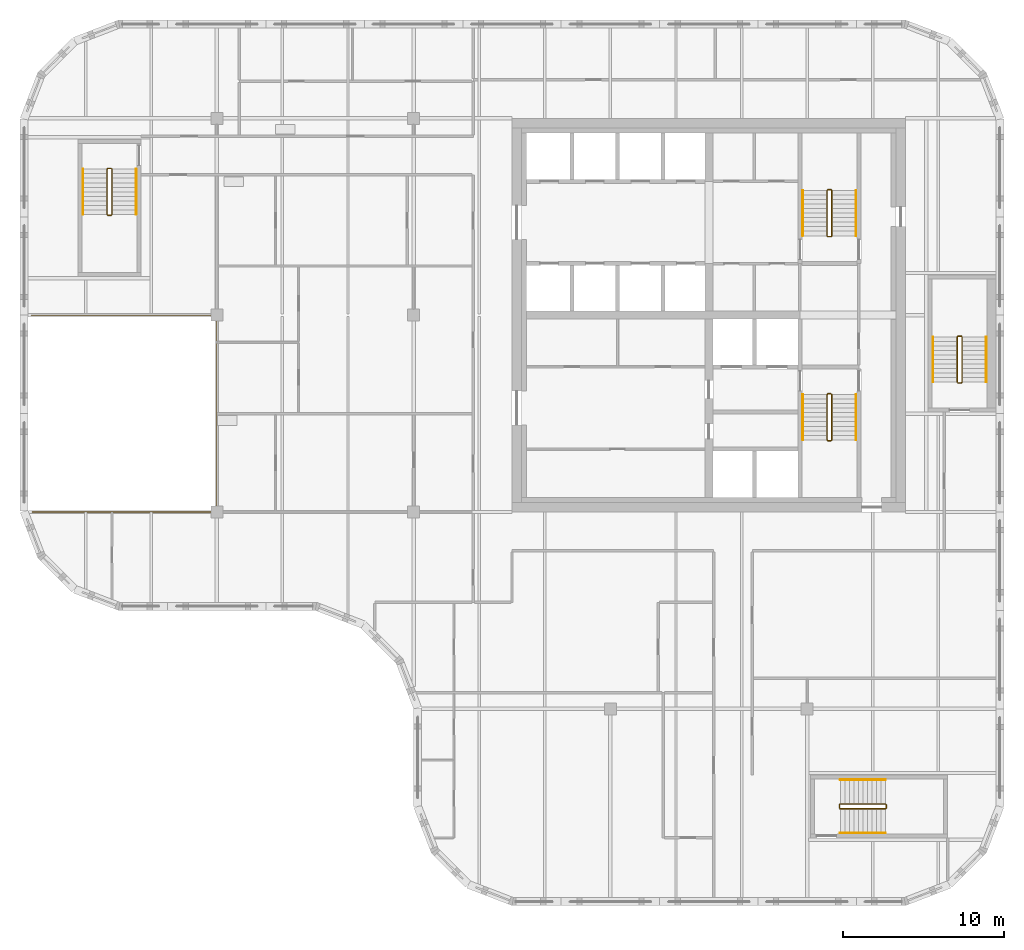
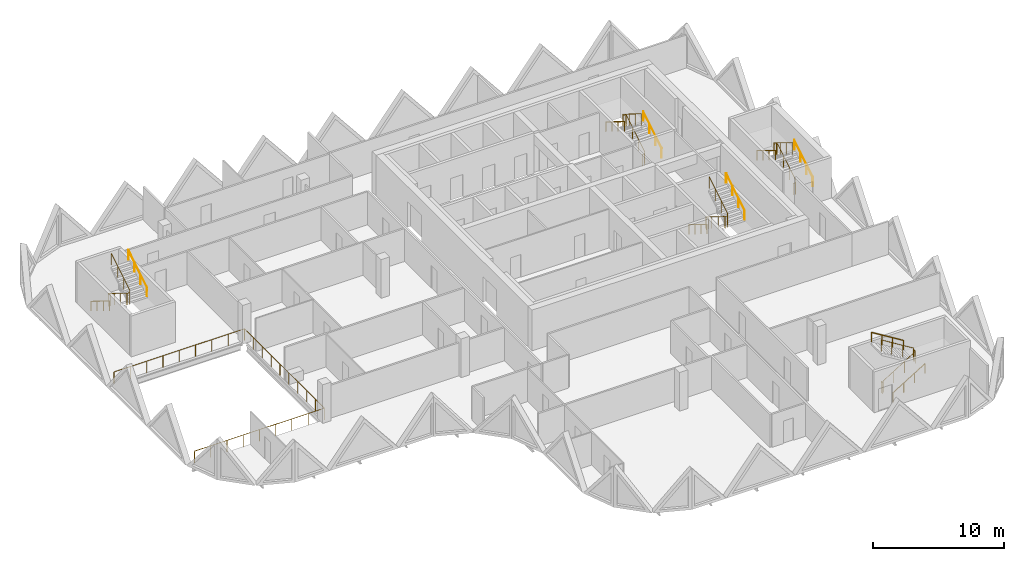
# One storey, part 11 of 12: 16 railings.
"""IFC4 building model written with IfcOpenShell, lengths in metres."""

from ifc_helpers import new_model, si_unit, direction, frame, origin, origin_2d, place, context, subcontext, project, spatial, circle, extrude, material, type_object, element, save


model = new_model("IFC4")

# Units and contexts
model_context = context("Model", 3, precision=1e-05, world=origin(), true_north=direction((0.0, 1.0)))
body_context = subcontext(model_context, "Body", "Model", "MODEL_VIEW")
ifc_project = project(units=[si_unit("LENGTHUNIT", "METRE"), si_unit("AREAUNIT", "SQUARE_METRE"), si_unit("VOLUMEUNIT", "CUBIC_METRE"), si_unit("PLANEANGLEUNIT", "RADIAN"), si_unit("MASSUNIT", "GRAM", prefix="KILO")], contexts=[model_context])

# Site, building, storey
site_placement = place(None, origin())
site = spatial("IfcSite", under=ifc_project, at=site_placement, CompositionType="ELEMENT")
building_placement = place(site_placement, origin())
building = spatial("IfcBuilding", under=site, at=building_placement, Name="Tessera Gate Towers", CompositionType="ELEMENT")
storey_placement = place(building_placement, frame((0.0, 0.0, 155.39990234375)))
storey = spatial("IfcBuildingStorey", under=building, at=storey_placement, Name="L38", CompositionType="ELEMENT", Elevation=155.39990234375)

# Railings
ifc_material_1 = material(Name="Toughened glass with stainless steel handrail", Category="steel")
railing_type_1 = type_object("IfcRailingType", Name="GUARD 1100 GLASS BALUSTRADE", PredefinedType="GUARDRAIL", material=ifc_material_1)
railing_1_placement = place(storey_placement, frame((0.750244140625, 24.39990234375, 0.0)))
element("IfcRailing", 1, at=railing_1_placement, inside=storey, type_object=railing_type_1, Name="Guard", PredefinedType="GUARDRAIL", context=body_context, shape_type="SweptSolid", body=[
    extrude(circle(Radius=0.02490234375, at=origin_2d()), frame((0.0, 0.0, 1.0751953125), z_axis=(1.0, 0.0, 0.0), x_axis=(0.0, 1.0, 0.0)), (0.0, 0.0, 1.0), 11.44970703125),
    extrude(circle(Radius=0.02490234375, at=origin_2d()), frame((11.44970703125, 0.0, 1.0751953125), z_axis=(0.0, 1.0, 0.0), x_axis=(-1.0, 0.0, 0.0)), (0.0, 0.0, 1.0), 12.2001953125),
    extrude(circle(Radius=0.02490234375, at=origin_2d()), frame((11.44970703125, 12.2001953125, 1.0751953125), z_axis=(-1.0, 0.0, 0.0), x_axis=(0.0, -1.0, 0.0)), (0.0, 0.0, 1.0), 11.5),
    extrude(circle(Radius=0.02490234375, at=origin_2d()), origin(), (0.0, 0.0, 1.0), 1.050048828125),
    extrude(circle(Radius=0.02490234375, at=origin_2d()), frame((1.43115234375, 0.0, 0.0)), (0.0, 0.0, 1.0), 1.050048828125),
    extrude(circle(Radius=0.02490234375, at=origin_2d()), frame((2.8623046875, 0.0, 0.0)), (0.0, 0.0, 1.0), 1.050048828125),
    extrude(circle(Radius=0.02490234375, at=origin_2d()), frame((4.293701171875, 0.0, 0.0)), (0.0, 0.0, 1.0), 1.050048828125),
    extrude(circle(Radius=0.02490234375, at=origin_2d()), frame((5.724853515625, 0.0, 0.0)), (0.0, 0.0, 1.0), 1.050048828125),
    extrude(circle(Radius=0.02490234375, at=origin_2d()), frame((7.156005859375, 0.0, 0.0)), (0.0, 0.0, 1.0), 1.050048828125),
    extrude(circle(Radius=0.02490234375, at=origin_2d()), frame((8.58740234375, 0.0, 0.0)), (0.0, 0.0, 1.0), 1.050048828125),
    extrude(circle(Radius=0.02490234375, at=origin_2d()), frame((10.0185546875, 0.0, 0.0)), (0.0, 0.0, 1.0), 1.050048828125),
    extrude(circle(Radius=0.02490234375, at=origin_2d()), frame((11.44970703125, 0.0, 0.0)), (0.0, 0.0, 1.0), 1.050048828125),
    extrude(circle(Radius=0.02490234375, at=origin_2d()), frame((11.44970703125, 1.35546875, 0.0)), (0.0, 0.0, 1.0), 1.050048828125),
    extrude(circle(Radius=0.02490234375, at=origin_2d()), frame((11.44970703125, 2.711181640625, 0.0)), (0.0, 0.0, 1.0), 1.050048828125),
    extrude(circle(Radius=0.02490234375, at=origin_2d()), frame((11.44970703125, 4.066650390625, 0.0)), (0.0, 0.0, 1.0), 1.050048828125),
    extrude(circle(Radius=0.02490234375, at=origin_2d()), frame((11.44970703125, 5.42236328125, 0.0)), (0.0, 0.0, 1.0), 1.050048828125),
    extrude(circle(Radius=0.02490234375, at=origin_2d()), frame((11.44970703125, 6.77783203125, 0.0)), (0.0, 0.0, 1.0), 1.050048828125),
    extrude(circle(Radius=0.02490234375, at=origin_2d()), frame((11.44970703125, 8.133544921875, 0.0)), (0.0, 0.0, 1.0), 1.050048828125),
    extrude(circle(Radius=0.02490234375, at=origin_2d()), frame((11.44970703125, 9.489013671875, 0.0)), (0.0, 0.0, 1.0), 1.050048828125),
    extrude(circle(Radius=0.02490234375, at=origin_2d()), frame((11.44970703125, 10.8447265625, 0.0)), (0.0, 0.0, 1.0), 1.050048828125),
    extrude(circle(Radius=0.02490234375, at=origin_2d()), frame((11.44970703125, 12.2001953125, 0.0)), (0.0, 0.0, 1.0), 1.050048828125),
    extrude(circle(Radius=0.02490234375, at=origin_2d()), frame((10.01220703125, 12.2001953125, 0.0)), (0.0, 0.0, 1.0), 1.050048828125),
    extrude(circle(Radius=0.02490234375, at=origin_2d()), frame((8.57470703125, 12.2001953125, 0.0)), (0.0, 0.0, 1.0), 1.050048828125),
    extrude(circle(Radius=0.02490234375, at=origin_2d()), frame((7.13720703125, 12.2001953125, 0.0)), (0.0, 0.0, 1.0), 1.050048828125),
    extrude(circle(Radius=0.02490234375, at=origin_2d()), frame((5.69970703125, 12.2001953125, 0.0)), (0.0, 0.0, 1.0), 1.050048828125),
    extrude(circle(Radius=0.02490234375, at=origin_2d()), frame((4.26220703125, 12.2001953125, 0.0)), (0.0, 0.0, 1.0), 1.050048828125),
    extrude(circle(Radius=0.02490234375, at=origin_2d()), frame((2.82470703125, 12.2001953125, 0.0)), (0.0, 0.0, 1.0), 1.050048828125),
    extrude(circle(Radius=0.02490234375, at=origin_2d()), frame((1.38720703125, 12.2001953125, 0.0)), (0.0, 0.0, 1.0), 1.050048828125),
    extrude(circle(Radius=0.02490234375, at=origin_2d()), frame((-0.05029296875, 12.2001953125, 0.0)), (0.0, 0.0, 1.0), 1.050048828125),
])
ifc_material_2 = material(Name="Steel 350W", Category="steel")
railing_type_2 = type_object("IfcRailingType", Name="STAIR GUARD 1100", PredefinedType="GUARDRAIL", material=ifc_material_2)
railing_2_placement = place(storey_placement, frame((50.27490234375, 31.72509765625, 0.0)))
element("IfcRailing", 2, at=railing_2_placement, inside=storey, type_object=railing_type_2, Name="L38 ST1 stair guard 1", PredefinedType="GUARDRAIL", context=body_context, shape_type="SweptSolid", body=[
    extrude(circle(Radius=0.02392578125, at=origin_2d()), frame((0.0, 0.0, 1.076171875), z_axis=(-1.0, 0.0, 0.0), x_axis=(0.0, -1.0, 0.0)), (0.0, 0.0, 1.0), 0.199951171875),
    extrude(circle(Radius=0.02392578125, at=origin_2d()), frame((-0.199951171875, 0.0, 1.076171875), z_axis=(-0.267953482034, -0.267953482034, 0.925419830635), x_axis=(0.707106781187, -0.707106781187, 0.0)), (0.0, 0.0, 1.0), 0.186767578125),
    extrude(circle(Radius=0.02392578125, at=origin_2d()), frame((-0.25, -0.050048828125, 1.2490234375), z_axis=(0.0, -0.851089632645, 0.525020415988), x_axis=(1.0, 0.0, 0.0)), (0.0, 0.0, 1.0), 3.2900390625),
    extrude(circle(Radius=0.02392578125, at=origin_2d()), frame((-0.25, -2.85009765625, 2.97607421875), z_axis=(0.707106781187, -0.707106781187, 0.0), x_axis=(0.707106781187, 0.707106781187, 0.0)), (0.0, 0.0, 1.0), 0.07080078125),
    extrude(circle(Radius=0.02392578125, at=origin_2d()), frame((-0.199951171875, -2.900146484375, 2.97607421875), z_axis=(1.0, 0.0, 0.0), x_axis=(0.0, 1.0, 0.0)), (0.0, 0.0, 1.0), 0.199951171875),
    extrude(circle(Radius=0.02392578125, at=origin_2d()), frame((0.0, -2.900146484375, 2.97607421875), z_axis=(0.268277960024, 0.268277960024, 0.925231793839), x_axis=(-0.707106781187, 0.707106781187, 0.0)), (0.0, 0.0, 1.0), 0.1865234375),
    extrude(circle(Radius=0.02392578125, at=origin_2d()), frame((0.050048828125, -2.85009765625, 3.14892578125), z_axis=(0.0, 0.851089632645, 0.525020415988), x_axis=(-1.0, 0.0, 0.0)), (0.0, 0.0, 1.0), 3.2900390625),
    extrude(circle(Radius=0.02099609375, at=origin_2d()), origin(), (0.0, 0.0, 1.0), 1.052001953125),
    extrude(circle(Radius=0.02099609375, at=origin_2d()), frame((-0.199951171875, 0.0, 0.0)), (0.0, 0.0, 1.0), 1.052001953125),
    extrude(circle(Radius=0.02099609375, at=origin_2d()), frame((-0.25, -0.050048828125, 0.1728515625)), (0.0, 0.0, 1.0), 1.052001953125),
    extrude(circle(Radius=0.02099609375, at=origin_2d()), frame((-0.25, -0.9833984375, 0.74853515625)), (0.0, 0.0, 1.0), 1.052001953125),
    extrude(circle(Radius=0.02099609375, at=origin_2d()), frame((-0.25, -1.916748046875, 1.324462890625)), (0.0, 0.0, 1.0), 1.052001953125),
    extrude(circle(Radius=0.02099609375, at=origin_2d()), frame((-0.25, -2.85009765625, 1.900146484375)), (0.0, 0.0, 1.0), 1.052001953125),
    extrude(circle(Radius=0.02099609375, at=origin_2d()), frame((-0.199951171875, -2.900146484375, 1.900146484375)), (0.0, 0.0, 1.0), 1.052001953125),
    extrude(circle(Radius=0.02099609375, at=origin_2d()), frame((0.0, -2.900146484375, 1.900146484375)), (0.0, 0.0, 1.0), 1.052001953125),
    extrude(circle(Radius=0.02099609375, at=origin_2d()), frame((0.050048828125, -2.85009765625, 2.07275390625)), (0.0, 0.0, 1.0), 1.052001953125),
    extrude(circle(Radius=0.02099609375, at=origin_2d()), frame((0.050048828125, -1.916748046875, 2.6484375)), (0.0, 0.0, 1.0), 1.052001953125),
    extrude(circle(Radius=0.02099609375, at=origin_2d()), frame((0.050048828125, -0.9833984375, 3.224365234375)), (0.0, 0.0, 1.0), 1.052001953125),
    extrude(circle(Radius=0.02099609375, at=origin_2d()), frame((0.050048828125, -0.050048828125, 3.800048828125)), (0.0, 0.0, 1.0), 1.052001953125),
])
railing_3_placement = place(storey_placement, frame((50.074951171875, 41.47509765625, 0.0)))
element("IfcRailing", 3, at=railing_3_placement, inside=storey, type_object=railing_type_2, Name="L38 ST2 stair guard 1", PredefinedType="GUARDRAIL", context=body_context, shape_type="SweptSolid", body=[
    extrude(circle(Radius=0.02392578125, at=origin_2d()), frame((0.0, 0.0, 1.076171875), z_axis=(1.0, 0.0, 0.0), x_axis=(0.0, 1.0, 0.0)), (0.0, 0.0, 1.0), 0.199951171875),
    extrude(circle(Radius=0.02392578125, at=origin_2d()), frame((0.199951171875, 0.0, 1.076171875), z_axis=(0.268047150085, 0.266739603011, 0.925743328097), x_axis=(-0.705375805398, 0.708833529934, 0.0)), (0.0, 0.0, 1.0), 0.186767578125),
    extrude(circle(Radius=0.02392578125, at=origin_2d()), frame((0.25, 0.0498046875, 1.2490234375), z_axis=(0.0, 0.851089632645, 0.525020415988), x_axis=(-1.0, 0.0, 0.0)), (0.0, 0.0, 1.0), 3.2900390625),
    extrude(circle(Radius=0.02392578125, at=origin_2d()), frame((0.25, 2.849853515625, 2.97607421875), z_axis=(-0.707106781187, 0.707106781187, 0.0), x_axis=(-0.707106781187, -0.707106781187, 0.0)), (0.0, 0.0, 1.0), 0.07080078125),
    extrude(circle(Radius=0.02392578125, at=origin_2d()), frame((0.199951171875, 2.89990234375, 2.97607421875), z_axis=(-1.0, 0.0, 0.0), x_axis=(0.0, -1.0, 0.0)), (0.0, 0.0, 1.0), 0.199951171875),
    extrude(circle(Radius=0.02392578125, at=origin_2d()), frame((0.0, 2.89990234375, 2.97607421875), z_axis=(-0.268277960024, -0.268277960024, 0.925231793839), x_axis=(0.707106781187, -0.707106781187, 0.0)), (0.0, 0.0, 1.0), 0.1865234375),
    extrude(circle(Radius=0.02392578125, at=origin_2d()), frame((-0.050048828125, 2.849853515625, 3.14892578125), z_axis=(0.0, -0.851089632645, 0.525020415988), x_axis=(1.0, 0.0, 0.0)), (0.0, 0.0, 1.0), 3.2900390625),
    extrude(circle(Radius=0.02099609375, at=origin_2d()), origin(), (0.0, 0.0, 1.0), 1.052001953125),
    extrude(circle(Radius=0.02099609375, at=origin_2d()), frame((0.199951171875, 0.0, 0.0)), (0.0, 0.0, 1.0), 1.052001953125),
    extrude(circle(Radius=0.02099609375, at=origin_2d()), frame((0.25, 0.0498046875, 0.1728515625)), (0.0, 0.0, 1.0), 1.052001953125),
    extrude(circle(Radius=0.02099609375, at=origin_2d()), frame((0.25, 0.983154296875, 0.74853515625)), (0.0, 0.0, 1.0), 1.052001953125),
    extrude(circle(Radius=0.02099609375, at=origin_2d()), frame((0.25, 1.91650390625, 1.324462890625)), (0.0, 0.0, 1.0), 1.052001953125),
    extrude(circle(Radius=0.02099609375, at=origin_2d()), frame((0.25, 2.849853515625, 1.900146484375)), (0.0, 0.0, 1.0), 1.052001953125),
    extrude(circle(Radius=0.02099609375, at=origin_2d()), frame((0.199951171875, 2.89990234375, 1.900146484375)), (0.0, 0.0, 1.0), 1.052001953125),
    extrude(circle(Radius=0.02099609375, at=origin_2d()), frame((0.0, 2.89990234375, 1.900146484375)), (0.0, 0.0, 1.0), 1.052001953125),
    extrude(circle(Radius=0.02099609375, at=origin_2d()), frame((-0.050048828125, 2.849853515625, 2.07275390625)), (0.0, 0.0, 1.0), 1.052001953125),
    extrude(circle(Radius=0.02099609375, at=origin_2d()), frame((-0.050048828125, 1.91650390625, 2.6484375)), (0.0, 0.0, 1.0), 1.052001953125),
    extrude(circle(Radius=0.02099609375, at=origin_2d()), frame((-0.050048828125, 0.983154296875, 3.224365234375)), (0.0, 0.0, 1.0), 1.052001953125),
    extrude(circle(Radius=0.02099609375, at=origin_2d()), frame((-0.050048828125, 0.0498046875, 3.800048828125)), (0.0, 0.0, 1.0), 1.052001953125),
])
railing_4_placement = place(storey_placement, frame((5.64990234375, 45.699951171875, 0.0)))
element("IfcRailing", 4, at=railing_4_placement, inside=storey, type_object=railing_type_2, Name="L38 ST3 stair guard 1", PredefinedType="GUARDRAIL", context=body_context, shape_type="SweptSolid", body=[
    extrude(circle(Radius=0.02392578125, at=origin_2d()), frame((0.0, 0.0, 1.076171875), z_axis=(-1.0, 0.0, 0.0), x_axis=(0.0, -1.0, 0.0)), (0.0, 0.0, 1.0), 0.199951171875),
    extrude(circle(Radius=0.02392578125, at=origin_2d()), frame((-0.199951171875, 0.0, 1.076171875), z_axis=(-0.267953482034, -0.267953482034, 0.925419830635), x_axis=(0.707106781187, -0.707106781187, 0.0)), (0.0, 0.0, 1.0), 0.186767578125),
    extrude(circle(Radius=0.02392578125, at=origin_2d()), frame((-0.25, -0.050048828125, 1.2490234375), z_axis=(0.0, -0.851069175582, 0.525053576669), x_axis=(1.0, 0.0, 0.0)), (0.0, 0.0, 1.0), 3.289794921875),
    extrude(circle(Radius=0.02392578125, at=origin_2d()), frame((-0.25, -2.849853515625, 2.97607421875), z_axis=(0.707106781187, -0.707106781187, 0.0), x_axis=(0.707106781187, 0.707106781187, 0.0)), (0.0, 0.0, 1.0), 0.07080078125),
    extrude(circle(Radius=0.02392578125, at=origin_2d()), frame((-0.199951171875, -2.89990234375, 2.97607421875), z_axis=(1.0, 0.0, 0.0), x_axis=(0.0, 1.0, 0.0)), (0.0, 0.0, 1.0), 0.199951171875),
    extrude(circle(Radius=0.02392578125, at=origin_2d()), frame((0.0, -2.89990234375, 2.97607421875), z_axis=(0.268277960024, 0.268277960024, 0.925231793839), x_axis=(-0.707106781187, 0.707106781187, 0.0)), (0.0, 0.0, 1.0), 0.1865234375),
    extrude(circle(Radius=0.02392578125, at=origin_2d()), frame((0.050048828125, -2.849853515625, 3.14892578125), z_axis=(0.0, 0.851069175582, 0.525053576669), x_axis=(-1.0, 0.0, 0.0)), (0.0, 0.0, 1.0), 3.289794921875),
    extrude(circle(Radius=0.02099609375, at=origin_2d()), origin(), (0.0, 0.0, 1.0), 1.052001953125),
    extrude(circle(Radius=0.02099609375, at=origin_2d()), frame((-0.199951171875, 0.0, 0.0)), (0.0, 0.0, 1.0), 1.052001953125),
    extrude(circle(Radius=0.02099609375, at=origin_2d()), frame((-0.25, -0.050048828125, 0.1728515625)), (0.0, 0.0, 1.0), 1.052001953125),
    extrude(circle(Radius=0.02099609375, at=origin_2d()), frame((-0.25, -0.9833984375, 0.74853515625)), (0.0, 0.0, 1.0), 1.052001953125),
    extrude(circle(Radius=0.02099609375, at=origin_2d()), frame((-0.25, -1.91650390625, 1.324462890625)), (0.0, 0.0, 1.0), 1.052001953125),
    extrude(circle(Radius=0.02099609375, at=origin_2d()), frame((-0.25, -2.849853515625, 1.900146484375)), (0.0, 0.0, 1.0), 1.052001953125),
    extrude(circle(Radius=0.02099609375, at=origin_2d()), frame((-0.199951171875, -2.89990234375, 1.900146484375)), (0.0, 0.0, 1.0), 1.052001953125),
    extrude(circle(Radius=0.02099609375, at=origin_2d()), frame((0.0, -2.89990234375, 1.900146484375)), (0.0, 0.0, 1.0), 1.052001953125),
    extrude(circle(Radius=0.02099609375, at=origin_2d()), frame((0.050048828125, -2.849853515625, 2.07275390625)), (0.0, 0.0, 1.0), 1.052001953125),
    extrude(circle(Radius=0.02099609375, at=origin_2d()), frame((0.050048828125, -1.91650390625, 2.6484375)), (0.0, 0.0, 1.0), 1.052001953125),
    extrude(circle(Radius=0.02099609375, at=origin_2d()), frame((0.050048828125, -0.9833984375, 3.224365234375)), (0.0, 0.0, 1.0), 1.052001953125),
    extrude(circle(Radius=0.02099609375, at=origin_2d()), frame((0.050048828125, -0.050048828125, 3.800048828125)), (0.0, 0.0, 1.0), 1.052001953125),
])
railing_5_placement = place(storey_placement, frame((50.800048828125, 6.25, 0.0)))
element("IfcRailing", 5, at=railing_5_placement, inside=storey, type_object=railing_type_2, Name="L38 ST4 stair guard 1", PredefinedType="GUARDRAIL", context=body_context, shape_type="SweptSolid", body=[
    extrude(circle(Radius=0.02392578125, at=origin_2d()), frame((0.0, 0.0, 1.076171875), z_axis=(0.0, -1.0, 0.0), x_axis=(1.0, 0.0, 0.0)), (0.0, 0.0, 1.0), 0.199951171875),
    extrude(circle(Radius=0.02392578125, at=origin_2d()), frame((0.0, -0.199951171875, 1.076171875), z_axis=(0.267953482034, -0.267953482034, 0.925419830635), x_axis=(0.707106781187, 0.707106781187, 0.0)), (0.0, 0.0, 1.0), 0.186767578125),
    extrude(circle(Radius=0.02392578125, at=origin_2d()), frame((0.050048828125, -0.25, 1.2490234375), z_axis=(0.851069175582, 0.0, 0.525053576669), x_axis=(0.0, 1.0, 0.0)), (0.0, 0.0, 1.0), 3.289794921875),
    extrude(circle(Radius=0.02392578125, at=origin_2d()), frame((2.849853515625, -0.25, 2.97607421875), z_axis=(0.707106781187, 0.707106781187, 0.0), x_axis=(-0.707106781187, 0.707106781187, 0.0)), (0.0, 0.0, 1.0), 0.07080078125),
    extrude(circle(Radius=0.02392578125, at=origin_2d()), frame((2.89990234375, -0.199951171875, 2.97607421875), z_axis=(0.0, 1.0, 0.0), x_axis=(-1.0, 0.0, 0.0)), (0.0, 0.0, 1.0), 0.199951171875),
    extrude(circle(Radius=0.02392578125, at=origin_2d()), frame((2.89990234375, 0.0, 2.97607421875), z_axis=(-0.268277960024, 0.268277960024, 0.925231793839), x_axis=(-0.707106781187, -0.707106781187, 0.0)), (0.0, 0.0, 1.0), 0.1865234375),
    extrude(circle(Radius=0.02392578125, at=origin_2d()), frame((2.849853515625, 0.050048828125, 3.14892578125), z_axis=(-0.851069175582, 0.0, 0.525053576669), x_axis=(0.0, -1.0, 0.0)), (0.0, 0.0, 1.0), 3.289794921875),
    extrude(circle(Radius=0.02099609375, at=origin_2d()), origin(), (0.0, 0.0, 1.0), 1.052001953125),
    extrude(circle(Radius=0.02099609375, at=origin_2d()), frame((0.0, -0.199951171875, 0.0)), (0.0, 0.0, 1.0), 1.052001953125),
    extrude(circle(Radius=0.02099609375, at=origin_2d()), frame((0.050048828125, -0.25, 0.1728515625)), (0.0, 0.0, 1.0), 1.052001953125),
    extrude(circle(Radius=0.02099609375, at=origin_2d()), frame((0.9833984375, -0.25, 0.74853515625)), (0.0, 0.0, 1.0), 1.052001953125),
    extrude(circle(Radius=0.02099609375, at=origin_2d()), frame((1.91650390625, -0.25, 1.324462890625)), (0.0, 0.0, 1.0), 1.052001953125),
    extrude(circle(Radius=0.02099609375, at=origin_2d()), frame((2.849853515625, -0.25, 1.900146484375)), (0.0, 0.0, 1.0), 1.052001953125),
    extrude(circle(Radius=0.02099609375, at=origin_2d()), frame((2.89990234375, -0.199951171875, 1.900146484375)), (0.0, 0.0, 1.0), 1.052001953125),
    extrude(circle(Radius=0.02099609375, at=origin_2d()), frame((2.89990234375, 0.0, 1.900146484375)), (0.0, 0.0, 1.0), 1.052001953125),
    extrude(circle(Radius=0.02099609375, at=origin_2d()), frame((2.849853515625, 0.050048828125, 2.07275390625)), (0.0, 0.0, 1.0), 1.052001953125),
    extrude(circle(Radius=0.02099609375, at=origin_2d()), frame((1.91650390625, 0.050048828125, 2.6484375)), (0.0, 0.0, 1.0), 1.052001953125),
    extrude(circle(Radius=0.02099609375, at=origin_2d()), frame((0.9833984375, 0.050048828125, 3.224365234375)), (0.0, 0.0, 1.0), 1.052001953125),
    extrude(circle(Radius=0.02099609375, at=origin_2d()), frame((0.050048828125, 0.050048828125, 3.800048828125)), (0.0, 0.0, 1.0), 1.052001953125),
])
railing_6_placement = place(storey_placement, frame((58.14990234375, 32.39990234375, 0.0)))
element("IfcRailing", 6, at=railing_6_placement, inside=storey, type_object=railing_type_2, Name="L38 ST5 stair guard 1", PredefinedType="GUARDRAIL", context=body_context, shape_type="SweptSolid", body=[
    extrude(circle(Radius=0.02392578125, at=origin_2d()), frame((0.0, 0.0, 1.076171875), z_axis=(1.0, 0.0, 0.0), x_axis=(0.0, 1.0, 0.0)), (0.0, 0.0, 1.0), 0.2001953125),
    extrude(circle(Radius=0.02392578125, at=origin_2d()), frame((0.2001953125, 0.0, 1.076171875), z_axis=(0.266739603011, 0.268047150085, 0.925743328097), x_axis=(-0.708833529934, 0.705375805398, 0.0)), (0.0, 0.0, 1.0), 0.186767578125),
    extrude(circle(Radius=0.02392578125, at=origin_2d()), frame((0.25, 0.050048828125, 1.2490234375), z_axis=(0.0, 0.851089632645, 0.525020415988), x_axis=(-1.0, 0.0, 0.0)), (0.0, 0.0, 1.0), 3.2900390625),
    extrude(circle(Radius=0.02392578125, at=origin_2d()), frame((0.25, 2.85009765625, 2.97607421875), z_axis=(-0.705375805398, 0.708833529934, 0.0), x_axis=(-0.708833529934, -0.705375805398, 0.0)), (0.0, 0.0, 1.0), 0.070556640625),
    extrude(circle(Radius=0.02392578125, at=origin_2d()), frame((0.2001953125, 2.900146484375, 2.97607421875), z_axis=(-1.0, 0.0, 0.0), x_axis=(0.0, -1.0, 0.0)), (0.0, 0.0, 1.0), 0.2001953125),
    extrude(circle(Radius=0.02392578125, at=origin_2d()), frame((0.0, 2.900146484375, 2.97607421875), z_axis=(-0.267062837333, -0.268371968888, 0.925556009775), x_axis=(0.708833529934, -0.705375805398, 0.0)), (0.0, 0.0, 1.0), 0.1865234375),
    extrude(circle(Radius=0.02392578125, at=origin_2d()), frame((-0.0498046875, 2.85009765625, 3.14892578125), z_axis=(0.0, -0.851089632645, 0.525020415988), x_axis=(1.0, 0.0, 0.0)), (0.0, 0.0, 1.0), 3.2900390625),
    extrude(circle(Radius=0.02099609375, at=origin_2d()), origin(), (0.0, 0.0, 1.0), 1.052001953125),
    extrude(circle(Radius=0.02099609375, at=origin_2d()), frame((0.2001953125, 0.0, 0.0)), (0.0, 0.0, 1.0), 1.052001953125),
    extrude(circle(Radius=0.02099609375, at=origin_2d()), frame((0.25, 0.050048828125, 0.1728515625)), (0.0, 0.0, 1.0), 1.052001953125),
    extrude(circle(Radius=0.02099609375, at=origin_2d()), frame((0.25, 0.9833984375, 0.74853515625)), (0.0, 0.0, 1.0), 1.052001953125),
    extrude(circle(Radius=0.02099609375, at=origin_2d()), frame((0.25, 1.916748046875, 1.324462890625)), (0.0, 0.0, 1.0), 1.052001953125),
    extrude(circle(Radius=0.02099609375, at=origin_2d()), frame((0.25, 2.85009765625, 1.900146484375)), (0.0, 0.0, 1.0), 1.052001953125),
    extrude(circle(Radius=0.02099609375, at=origin_2d()), frame((0.2001953125, 2.900146484375, 1.900146484375)), (0.0, 0.0, 1.0), 1.052001953125),
    extrude(circle(Radius=0.02099609375, at=origin_2d()), frame((0.0, 2.900146484375, 1.900146484375)), (0.0, 0.0, 1.0), 1.052001953125),
    extrude(circle(Radius=0.02099609375, at=origin_2d()), frame((-0.0498046875, 2.85009765625, 2.07275390625)), (0.0, 0.0, 1.0), 1.052001953125),
    extrude(circle(Radius=0.02099609375, at=origin_2d()), frame((-0.0498046875, 1.916748046875, 2.6484375)), (0.0, 0.0, 1.0), 1.052001953125),
    extrude(circle(Radius=0.02099609375, at=origin_2d()), frame((-0.0498046875, 0.9833984375, 3.224365234375)), (0.0, 0.0, 1.0), 1.052001953125),
    extrude(circle(Radius=0.02099609375, at=origin_2d()), frame((-0.0498046875, 0.050048828125, 3.800048828125)), (0.0, 0.0, 1.0), 1.052001953125),
])
ifc_material_3 = material(Name="Steel 350W", Category="steel")
railing_type_3 = type_object("IfcRailingType", Name="STAIR HANDRAIL 900", PredefinedType="HANDRAIL", material=ifc_material_3)
railing_7_placement = place(storey_placement, frame((48.52490234375, 31.675048828125, 0.1728515625)))
element("IfcRailing", 7, at=railing_7_placement, inside=storey, type_object=railing_type_3, Name="L38 ST1 stair handrail 1", PredefinedType="HANDRAIL", context=body_context, shape_type="SweptSolid", body=[
    extrude(circle(Radius=0.02392578125, at=origin_2d()), frame((0.0, 0.0, 0.8759765625), z_axis=(0.0, -0.851089632645, 0.525020415988), x_axis=(1.0, 0.0, 0.0)), (0.0, 0.0, 1.0), 3.2900390625),
    extrude(circle(Radius=0.02099609375, at=origin_2d()), origin(), (0.0, 0.0, 1.0), 0.851806640625),
    extrude(circle(Radius=0.02099609375, at=origin_2d()), frame((0.0, -0.933349609375, 0.57568359375)), (0.0, 0.0, 1.0), 0.851806640625),
    extrude(circle(Radius=0.02099609375, at=origin_2d()), frame((0.0, -1.86669921875, 1.151611328125)), (0.0, 0.0, 1.0), 0.851806640625),
    extrude(circle(Radius=0.02099609375, at=origin_2d()), frame((0.0, -2.800048828125, 1.727294921875)), (0.0, 0.0, 1.0), 0.851806640625),
])
for number, where, name in (
    (8, (51.824951171875, 28.875, 2.07275390625), "L38 ST1 stair handrail 2"),
    (9, (51.824951171875, 41.52490234375, 0.1728515625), "L38 ST2 stair handrail 1"),
):
    element("IfcRailing", number, at=place(storey_placement, frame(where)), inside=storey, type_object=railing_type_3, Name=name, PredefinedType="HANDRAIL", context=body_context, shape_type="SweptSolid", body=[
        extrude(circle(Radius=0.02392578125, at=origin_2d()), frame((0.0, 0.0, 0.8759765625), z_axis=(0.0, 0.851089632645, 0.525020415988), x_axis=(-1.0, 0.0, 0.0)), (0.0, 0.0, 1.0), 3.2900390625),
        extrude(circle(Radius=0.02099609375, at=origin_2d()), origin(), (0.0, 0.0, 1.0), 0.851806640625),
        extrude(circle(Radius=0.02099609375, at=origin_2d()), frame((0.0, 0.933349609375, 0.57568359375)), (0.0, 0.0, 1.0), 0.851806640625),
        extrude(circle(Radius=0.02099609375, at=origin_2d()), frame((0.0, 1.86669921875, 1.151611328125)), (0.0, 0.0, 1.0), 0.851806640625),
        extrude(circle(Radius=0.02099609375, at=origin_2d()), frame((0.0, 2.800048828125, 1.727294921875)), (0.0, 0.0, 1.0), 0.851806640625),
    ])
railing_8_placement = place(storey_placement, frame((48.52490234375, 44.324951171875, 2.07275390625)))
element("IfcRailing", 10, at=railing_8_placement, inside=storey, type_object=railing_type_3, Name="L38 ST2 stair handrail 2", PredefinedType="HANDRAIL", context=body_context, shape_type="SweptSolid", body=[
    extrude(circle(Radius=0.02392578125, at=origin_2d()), frame((0.0, 0.0, 0.8759765625), z_axis=(0.0, -0.851089632645, 0.525020415988), x_axis=(1.0, 0.0, 0.0)), (0.0, 0.0, 1.0), 3.2900390625),
    extrude(circle(Radius=0.02099609375, at=origin_2d()), origin(), (0.0, 0.0, 1.0), 0.851806640625),
    extrude(circle(Radius=0.02099609375, at=origin_2d()), frame((0.0, -0.933349609375, 0.57568359375)), (0.0, 0.0, 1.0), 0.851806640625),
    extrude(circle(Radius=0.02099609375, at=origin_2d()), frame((0.0, -1.86669921875, 1.151611328125)), (0.0, 0.0, 1.0), 0.851806640625),
    extrude(circle(Radius=0.02099609375, at=origin_2d()), frame((0.0, -2.800048828125, 1.727294921875)), (0.0, 0.0, 1.0), 0.851806640625),
])
railing_9_placement = place(storey_placement, frame((3.89990234375, 45.64990234375, 0.1728515625)))
element("IfcRailing", 11, at=railing_9_placement, inside=storey, type_object=railing_type_3, Name="L38 ST3 stair handrail 1", PredefinedType="HANDRAIL", context=body_context, shape_type="SweptSolid", body=[
    extrude(circle(Radius=0.02392578125, at=origin_2d()), frame((0.0, 0.0, 0.8759765625), z_axis=(0.0, -0.851069175582, 0.525053576669), x_axis=(1.0, 0.0, 0.0)), (0.0, 0.0, 1.0), 3.289794921875),
    extrude(circle(Radius=0.02099609375, at=origin_2d()), origin(), (0.0, 0.0, 1.0), 0.851806640625),
    extrude(circle(Radius=0.02099609375, at=origin_2d()), frame((0.0, -0.933349609375, 0.57568359375)), (0.0, 0.0, 1.0), 0.851806640625),
    extrude(circle(Radius=0.02099609375, at=origin_2d()), frame((0.0, -1.866455078125, 1.151611328125)), (0.0, 0.0, 1.0), 0.851806640625),
    extrude(circle(Radius=0.02099609375, at=origin_2d()), frame((0.0, -2.7998046875, 1.727294921875)), (0.0, 0.0, 1.0), 0.851806640625),
])
railing_10_placement = place(storey_placement, frame((7.199951171875, 42.85009765625, 2.07275390625)))
element("IfcRailing", 12, at=railing_10_placement, inside=storey, type_object=railing_type_3, Name="L38 ST3 stair handrail 2", PredefinedType="HANDRAIL", context=body_context, shape_type="SweptSolid", body=[
    extrude(circle(Radius=0.02392578125, at=origin_2d()), frame((0.0, 0.0, 0.8759765625), z_axis=(0.0, 0.851069175582, 0.525053576669), x_axis=(-1.0, 0.0, 0.0)), (0.0, 0.0, 1.0), 3.289794921875),
    extrude(circle(Radius=0.02099609375, at=origin_2d()), origin(), (0.0, 0.0, 1.0), 0.851806640625),
    extrude(circle(Radius=0.02099609375, at=origin_2d()), frame((0.0, 0.933349609375, 0.57568359375)), (0.0, 0.0, 1.0), 0.851806640625),
    extrude(circle(Radius=0.02099609375, at=origin_2d()), frame((0.0, 1.866455078125, 1.151611328125)), (0.0, 0.0, 1.0), 0.851806640625),
    extrude(circle(Radius=0.02099609375, at=origin_2d()), frame((0.0, 2.7998046875, 1.727294921875)), (0.0, 0.0, 1.0), 0.851806640625),
])
railing_11_placement = place(storey_placement, frame((50.85009765625, 4.5, 0.1728515625)))
element("IfcRailing", 13, at=railing_11_placement, inside=storey, type_object=railing_type_3, Name="L38 ST4 stair handrail 1", PredefinedType="HANDRAIL", context=body_context, shape_type="SweptSolid", body=[
    extrude(circle(Radius=0.02392578125, at=origin_2d()), frame((0.0, 0.0, 0.8759765625), z_axis=(0.851069175582, 0.0, 0.525053576669), x_axis=(0.0, 1.0, 0.0)), (0.0, 0.0, 1.0), 3.289794921875),
    extrude(circle(Radius=0.02099609375, at=origin_2d()), origin(), (0.0, 0.0, 1.0), 0.851806640625),
    extrude(circle(Radius=0.02099609375, at=origin_2d()), frame((0.933349609375, 0.0, 0.57568359375)), (0.0, 0.0, 1.0), 0.851806640625),
    extrude(circle(Radius=0.02099609375, at=origin_2d()), frame((1.866455078125, 0.0, 1.151611328125)), (0.0, 0.0, 1.0), 0.851806640625),
    extrude(circle(Radius=0.02099609375, at=origin_2d()), frame((2.7998046875, 0.0, 1.727294921875)), (0.0, 0.0, 1.0), 0.851806640625),
])
railing_12_placement = place(storey_placement, frame((53.64990234375, 7.800048828125, 2.07275390625)))
element("IfcRailing", 14, at=railing_12_placement, inside=storey, type_object=railing_type_3, Name="L38 ST4 stair handrail 2", PredefinedType="HANDRAIL", context=body_context, shape_type="SweptSolid", body=[
    extrude(circle(Radius=0.02392578125, at=origin_2d()), frame((0.0, 0.0, 0.8759765625), z_axis=(-0.851069175582, 0.0, 0.525053576669), x_axis=(0.0, -1.0, 0.0)), (0.0, 0.0, 1.0), 3.289794921875),
    extrude(circle(Radius=0.02099609375, at=origin_2d()), origin(), (0.0, 0.0, 1.0), 0.851806640625),
    extrude(circle(Radius=0.02099609375, at=origin_2d()), frame((-0.933349609375, 0.0, 0.57568359375)), (0.0, 0.0, 1.0), 0.851806640625),
    extrude(circle(Radius=0.02099609375, at=origin_2d()), frame((-1.866455078125, 0.0, 1.151611328125)), (0.0, 0.0, 1.0), 0.851806640625),
    extrude(circle(Radius=0.02099609375, at=origin_2d()), frame((-2.7998046875, 0.0, 1.727294921875)), (0.0, 0.0, 1.0), 0.851806640625),
])
railing_13_placement = place(storey_placement, frame((59.89990234375, 32.449951171875, 0.1728515625)))
element("IfcRailing", 15, at=railing_13_placement, inside=storey, type_object=railing_type_3, Name="L38 ST5 stair handrail 1", PredefinedType="HANDRAIL", context=body_context, shape_type="SweptSolid", body=[
    extrude(circle(Radius=0.02392578125, at=origin_2d()), frame((0.0, 0.0, 0.8759765625), z_axis=(0.0, 0.851089632645, 0.525020415988), x_axis=(-1.0, 0.0, 0.0)), (0.0, 0.0, 1.0), 3.2900390625),
    extrude(circle(Radius=0.02099609375, at=origin_2d()), origin(), (0.0, 0.0, 1.0), 0.851806640625),
    extrude(circle(Radius=0.02099609375, at=origin_2d()), frame((0.0, 0.933349609375, 0.57568359375)), (0.0, 0.0, 1.0), 0.851806640625),
    extrude(circle(Radius=0.02099609375, at=origin_2d()), frame((0.0, 1.86669921875, 1.151611328125)), (0.0, 0.0, 1.0), 0.851806640625),
    extrude(circle(Radius=0.02099609375, at=origin_2d()), frame((0.0, 2.800048828125, 1.727294921875)), (0.0, 0.0, 1.0), 0.851806640625),
])
railing_14_placement = place(storey_placement, frame((56.60009765625, 35.25, 2.07275390625)))
element("IfcRailing", 16, at=railing_14_placement, inside=storey, type_object=railing_type_3, Name="L38 ST5 stair handrail 2", PredefinedType="HANDRAIL", context=body_context, shape_type="SweptSolid", body=[
    extrude(circle(Radius=0.02392578125, at=origin_2d()), frame((0.0, 0.0, 0.8759765625), z_axis=(0.0, -0.851089632645, 0.525020415988), x_axis=(1.0, 0.0, 0.0)), (0.0, 0.0, 1.0), 3.2900390625),
    extrude(circle(Radius=0.02099609375, at=origin_2d()), origin(), (0.0, 0.0, 1.0), 0.851806640625),
    extrude(circle(Radius=0.02099609375, at=origin_2d()), frame((0.0, -0.933349609375, 0.57568359375)), (0.0, 0.0, 1.0), 0.851806640625),
    extrude(circle(Radius=0.02099609375, at=origin_2d()), frame((0.0, -1.86669921875, 1.151611328125)), (0.0, 0.0, 1.0), 0.851806640625),
    extrude(circle(Radius=0.02099609375, at=origin_2d()), frame((0.0, -2.800048828125, 1.727294921875)), (0.0, 0.0, 1.0), 0.851806640625),
])

save(model, "model.ifc")
